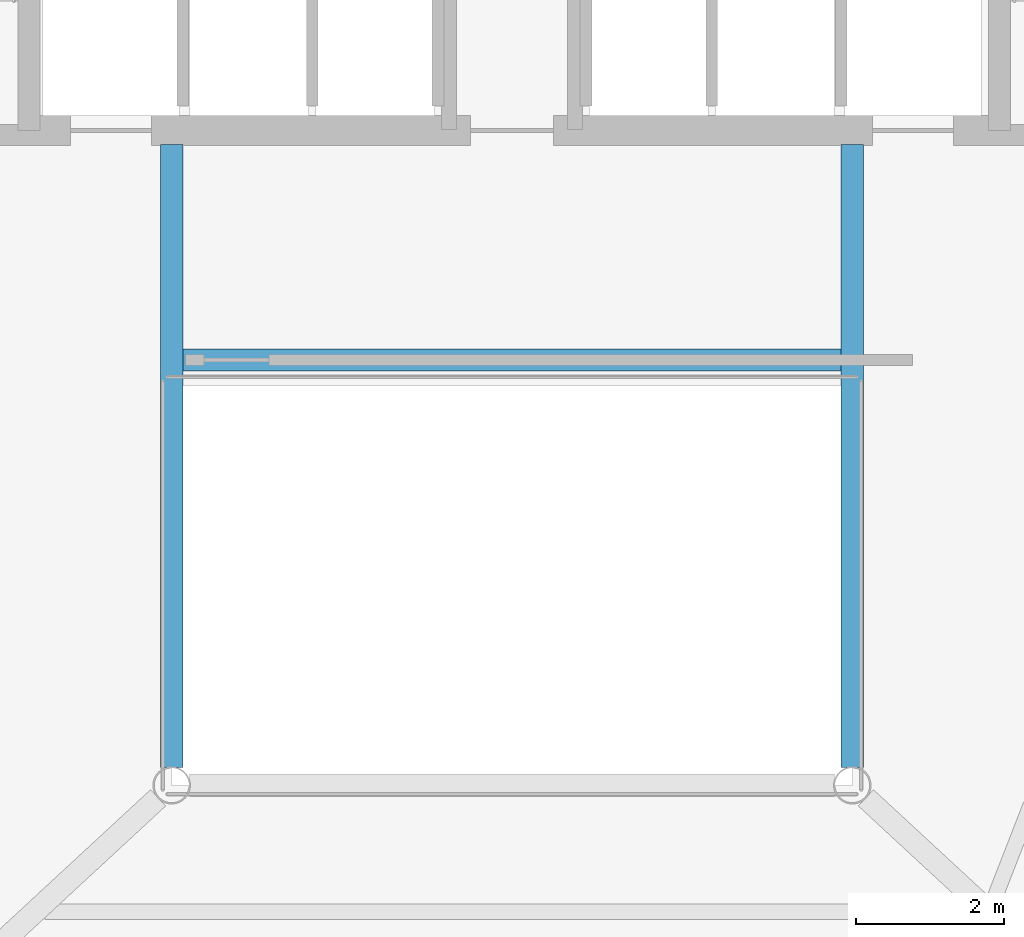
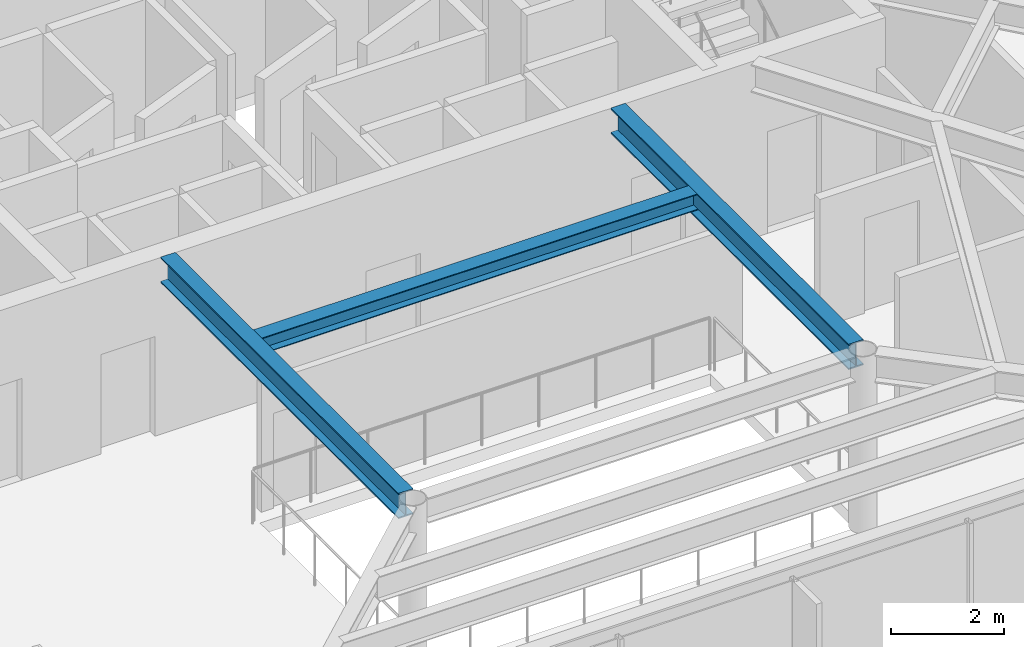
# One storey, part 10 of 26: 3 beams.
"""IFC4 building model written with IfcOpenShell, lengths in metres."""

from ifc_helpers import new_model, si_unit, direction, frame, origin, origin_2d, place, context, subcontext, project, spatial, i_section, extrude, material, material_profile, profile_set, type_object, element, save


model = new_model("IFC4")

# Units and contexts
model_context = context("Model", 3, precision=1e-05, world=origin(), true_north=direction((0.0, 1.0)))
body_context = subcontext(model_context, "Body", "Model", "MODEL_VIEW")
ifc_project = project(units=[si_unit("LENGTHUNIT", "METRE"), si_unit("AREAUNIT", "SQUARE_METRE"), si_unit("VOLUMEUNIT", "CUBIC_METRE"), si_unit("PLANEANGLEUNIT", "RADIAN"), si_unit("MASSUNIT", "GRAM", prefix="KILO")], contexts=[model_context])

# Site, building, storey
site_placement = place(None, origin())
site = spatial("IfcSite", under=ifc_project, at=site_placement, CompositionType="ELEMENT")
building_placement = place(site_placement, origin())
building = spatial("IfcBuilding", under=site, at=building_placement, Name="Zarrinselat Tower", CompositionType="ELEMENT")
storey_placement = place(building_placement, frame((0.0, 0.0, 60.179931640625)))
storey = spatial("IfcBuildingStorey", under=building, at=storey_placement, Name="L14", CompositionType="ELEMENT", Elevation=60.179931640625)

# Beams
ifc_material_1 = material(Name="Steel S355J2", Category="steel")
ifc_material_profile_1 = material_profile(ifc_material_1, i_section(OverallWidth=0.300048828125, OverallDepth=0.35009765625, WebThickness=0.010009765625, FlangeThickness=0.017578125, at=origin_2d()), Name="HEA 360")
ifc_profile_set_1 = profile_set([ifc_material_profile_1], Name="Steel S355J2")
beam_type_1 = type_object("IfcBeamType", Name="BM-HEA360", PredefinedType="LINTEL", material=ifc_profile_set_1)
beam_placement = place(storey_placement, frame((33.93994140625, 30.14990234375, 3.64501953125), z_axis=(1.0, 0.0, 0.0), x_axis=(0.0, 1.0, 0.0)))
element("IfcBeam", 1, at=beam_placement, inside=storey, type_object=beam_type_1, Name="L14 Lift Lobby Ceiling Beam", PredefinedType="LINTEL", context=body_context, shape_type="SweptSolid", body=[
    extrude(i_section(OverallWidth=0.300048828125, OverallDepth=0.35009765625, WebThickness=0.010009765625, FlangeThickness=0.017578125, at=origin_2d()), origin(), (0.0, 0.0, 1.0), 8.920166015625),
])
ifc_material_2 = material(Name="Steel S355J2", Category="steel")
ifc_material_profile_2 = material_profile(ifc_material_2, i_section(OverallWidth=0.300048828125, OverallDepth=0.550048828125, WebThickness=0.014892578125, FlangeThickness=0.029052734375, at=origin_2d()), Name="HEB 550")
ifc_profile_set_2 = profile_set([ifc_material_profile_2], Name="Steel S355J2")
beam_type_2 = type_object("IfcBeamType", Name="BM-HEB550", PredefinedType="BEAM", material=ifc_profile_set_2)
for number, where, z_axis, x_axis, name in (
    (2, (33.800048828125, 24.639892578125, 3.545166015625), (0.0, 1.0, 0.0), (-1.0, 0.0, 0.0), "L14 Atrium Edge Beam W"),
    (3, (43.0, 24.639892578125, 3.545166015625), (0.0, 1.0, 0.0), (-1.0, 0.0, 0.0), "L14 Atrium Edge Beam E"),
):
    element("IfcBeam", number, at=place(storey_placement, frame(where, z_axis=z_axis, x_axis=x_axis)), inside=storey, type_object=beam_type_2, Name=name, PredefinedType="BEAM", context=body_context, shape_type="SweptSolid", body=[
        extrude(i_section(OverallWidth=0.300048828125, OverallDepth=0.550048828125, WebThickness=0.014892578125, FlangeThickness=0.029052734375, at=origin_2d()), origin(), (0.0, 0.0, 1.0), 8.420166015625),
    ])

save(model, "model.ifc")
